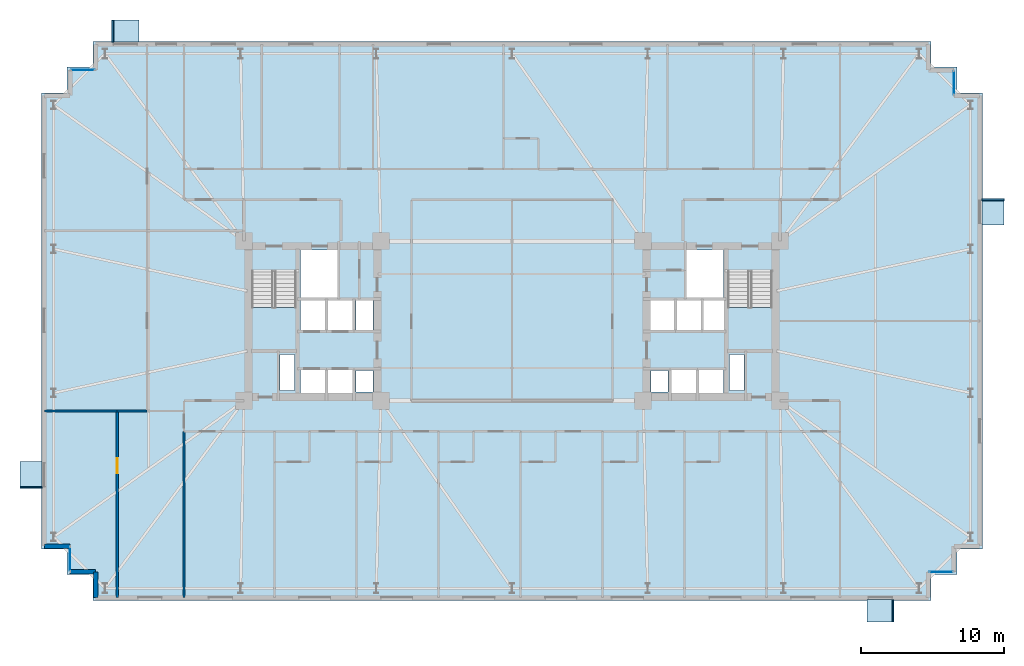
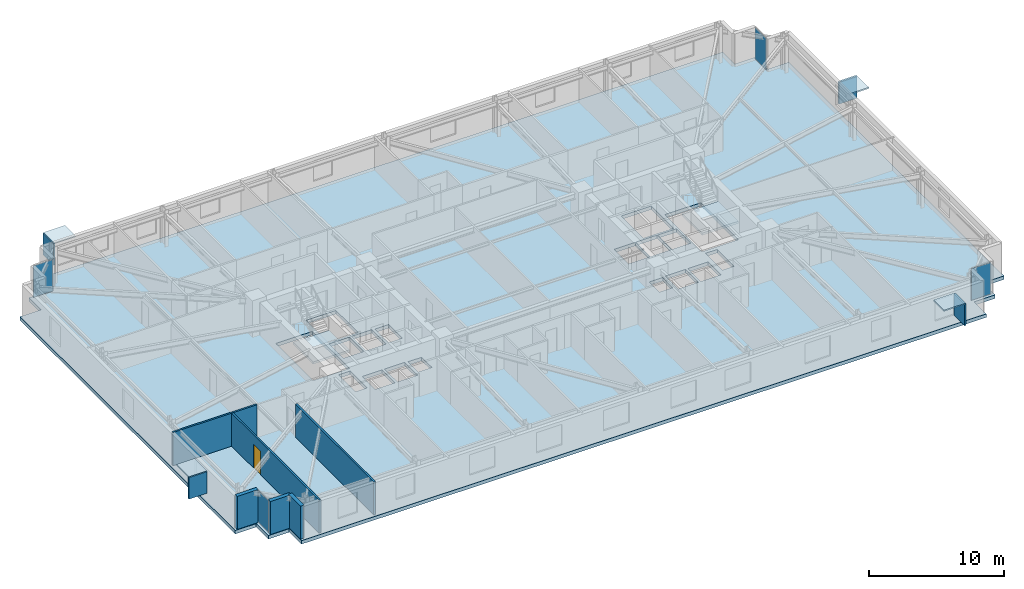
# One storey, part 13 of 20: 12 plates, 7 walls, 3 slabs, 1 door, 1 opening, 6 elements without a shape of their own.
"""IFC4 building model written with IfcOpenShell, lengths in metres."""

from ifc_helpers import new_model, si_unit, direction, frame, frame_2d, origin, origin_2d, place, context, subcontext, project, spatial, polyline, rectangle, outline, extrude, material, layer, layer_set, type_object, element, fill, aggregate, save


model = new_model("IFC4")

# Units and contexts
model_context = context("Model", 3, precision=1e-05, world=origin(), true_north=direction((0.0, 1.0)))
body_context = subcontext(model_context, "Body", "Model", "MODEL_VIEW")
ifc_project = project(units=[si_unit("LENGTHUNIT", "METRE"), si_unit("AREAUNIT", "SQUARE_METRE"), si_unit("VOLUMEUNIT", "CUBIC_METRE"), si_unit("PLANEANGLEUNIT", "RADIAN"), si_unit("MASSUNIT", "GRAM", prefix="KILO")], contexts=[model_context])

# Site, building, storey
site_placement = place(None, origin())
site = spatial("IfcSite", under=ifc_project, at=site_placement, CompositionType="ELEMENT")
building_placement = place(site_placement, origin())
building = spatial("IfcBuilding", under=site, at=building_placement, Name="Qobustan Lattice House", CompositionType="ELEMENT")
storey_placement = place(building_placement, frame((0.0, 0.0, 70.550048828125)))
storey = spatial("IfcBuildingStorey", under=building, at=storey_placement, Name="L19", CompositionType="ELEMENT", Elevation=70.550048828125)

# Curtain wall, plate
ifc_material_1 = material(Name="Anodised aluminium and low-E glazing", Category="aluminium")
ifc_layer_1 = layer(ifc_material_1, 0.219970703125)
ifc_layer_set_1 = layer_set([ifc_layer_1], Name="Anodised aluminium and low-E glazing")
curtain_wall_type = type_object("IfcCurtainWallType", Name="CW-FAC-01", PredefinedType="USERDEFINED", material=ifc_layer_set_1)
curtain_wall_1_placement = place(storey_placement, origin())
curtain_wall_1 = element("IfcCurtainWall", 1, at=curtain_wall_1_placement, inside=storey, type_object=curtain_wall_type, Name="L19 serrated corner faceted glazing 3", ObjectType="CURTAIN WALL", PredefinedType="USERDEFINED")
ifc_material_2 = material(Name="Clear low-E laminated glass", Category="glass")
ifc_layer_2 = layer(ifc_material_2, 0.031982421875)
ifc_layer_set_2 = layer_set([ifc_layer_2], Name="Clear low-E laminated glass")
plate_type_1 = type_object("IfcPlateType", Name="CWP-VISION-32", PredefinedType="CURTAIN_PANEL", material=ifc_layer_set_2)
plate_1_placement = place(storey_placement, frame((-31.0, -16.699951171875, 0.06494140625), z_axis=(0.0, 0.0, 1.0), x_axis=(0.0, 1.0, 0.0)))
plate_1 = element("IfcPlate", 2, at=plate_1_placement, type_object=plate_type_1, Name="CW-F1 panel 1.1", PredefinedType="CURTAIN_PANEL", context=body_context, shape_type="SweptSolid", body=[
    extrude(rectangle(XDim=1.659912109375, YDim=0.031982421875, at=origin_2d()), origin(), (0.0, 0.0, 1.0), 2.8701171875),
])
aggregate(curtain_wall_1, [plate_1])

curtain_wall_2_placement = place(storey_placement, origin())
curtain_wall_2 = element("IfcCurtainWall", 3, at=curtain_wall_2_placement, inside=storey, type_object=curtain_wall_type, Name="L19 serrated corner faceted glazing 8", ObjectType="CURTAIN WALL", PredefinedType="USERDEFINED")
plate_2_placement = place(storey_placement, frame((-30.10009765625, 17.60009765625, 0.06494140625), z_axis=(0.0, 0.0, 1.0), x_axis=(1.0, 0.0, 0.0)))
plate_2 = element("IfcPlate", 4, at=plate_2_placement, type_object=plate_type_1, Name="CW-F1 panel 1.1", PredefinedType="CURTAIN_PANEL", context=body_context, shape_type="SweptSolid", body=[
    extrude(rectangle(XDim=1.659912109375, YDim=0.031982421875, at=origin_2d()), origin(), (0.0, 0.0, 1.0), 2.8701171875),
])
aggregate(curtain_wall_2, [plate_2])

curtain_wall_3_placement = place(storey_placement, origin())
curtain_wall_3 = element("IfcCurtainWall", 5, at=curtain_wall_3_placement, inside=storey, type_object=curtain_wall_type, Name="L19 serrated corner faceted glazing 13", ObjectType="CURTAIN WALL", PredefinedType="USERDEFINED")
plate_3_placement = place(storey_placement, frame((31.0, 16.699951171875, 0.06494140625), z_axis=(0.0, 0.0, 1.0), x_axis=(0.0, -1.0, 0.0)))
plate_3 = element("IfcPlate", 6, at=plate_3_placement, type_object=plate_type_1, Name="CW-F1 panel 1.1", PredefinedType="CURTAIN_PANEL", context=body_context, shape_type="SweptSolid", body=[
    extrude(rectangle(XDim=1.659912109375, YDim=0.031982421875, at=origin_2d()), origin(), (0.0, 0.0, 1.0), 2.8701171875),
])
aggregate(curtain_wall_3, [plate_3])

curtain_wall_4_placement = place(storey_placement, origin())
curtain_wall_4 = element("IfcCurtainWall", 7, at=curtain_wall_4_placement, inside=storey, type_object=curtain_wall_type, Name="L19 serrated corner faceted glazing 18", ObjectType="CURTAIN WALL", PredefinedType="USERDEFINED")
plate_4_placement = place(storey_placement, frame((30.10009765625, -17.60009765625, 0.06494140625), z_axis=(0.0, 0.0, 1.0), x_axis=(-1.0, 0.0, 0.0)))
plate_4 = element("IfcPlate", 8, at=plate_4_placement, type_object=plate_type_1, Name="CW-F1 panel 1.1", PredefinedType="CURTAIN_PANEL", context=body_context, shape_type="SweptSolid", body=[
    extrude(rectangle(XDim=1.659912109375, YDim=0.031982421875, at=origin_2d()), origin(), (0.0, 0.0, 1.0), 2.8701171875),
])
aggregate(curtain_wall_4, [plate_4])

# Plates
ifc_material_3 = material(Name="Qobustan limestone GFRC", Category="masonry")
ifc_layer_3 = layer(ifc_material_3, 0.1201171875)
ifc_layer_set_3 = layer_set([ifc_layer_3], Name="Qobustan limestone GFRC")
plate_type_2 = type_object("IfcPlateType", Name="SHD-HOOD-BROW", PredefinedType="USERDEFINED", material=ifc_layer_set_3)
plate_5_placement = place(storey_placement, frame((-33.72998046875, -10.800048828125, 2.699951171875), z_axis=(0.0, 0.0, 1.0), x_axis=(0.0, 1.0, 0.0)))
element("IfcPlate", 9, at=plate_5_placement, inside=storey, type_object=plate_type_2, Name="L19 splayed Qobustan stone hood brow", ObjectType="SUNSHADE", PredefinedType="USERDEFINED", context=body_context, shape_type="SweptSolid", body=[
    extrude(rectangle(XDim=1.889892578125, YDim=1.56005859375, at=origin_2d()), origin(), (0.0, 0.0, 1.0), 0.1201171875),
])
plate_6_placement = place(storey_placement, frame((-33.72998046875, -11.68505859375, 0.7900390625), z_axis=(0.0, 0.0, 1.0), x_axis=(0.0, 1.0, 0.0)))
element("IfcPlate", 10, at=plate_6_placement, inside=storey, type_object=plate_type_2, Name="L19 splayed Qobustan stone hood cheek", ObjectType="SUNSHADE", PredefinedType="USERDEFINED", context=body_context, shape_type="SweptSolid", body=[
    extrude(rectangle(XDim=0.1201171875, YDim=1.56005859375, at=origin_2d()), origin(), (0.0, 0.0, 1.0), 1.969970703125),
])
plate_7_placement = place(storey_placement, frame((-27.1201171875, 20.330078125, 2.699951171875), z_axis=(0.0, 0.0, 1.0), x_axis=(1.0, 0.0, 0.0)))
element("IfcPlate", 11, at=plate_7_placement, inside=storey, type_object=plate_type_2, Name="L19 splayed Qobustan stone hood brow", ObjectType="SUNSHADE", PredefinedType="USERDEFINED", context=body_context, shape_type="SweptSolid", body=[
    extrude(rectangle(XDim=1.889892578125, YDim=1.56005859375, at=origin_2d()), origin(), (0.0, 0.0, 1.0), 0.1201171875),
])
plate_8_placement = place(storey_placement, frame((-28.0048828125, 20.330078125, 0.7900390625), z_axis=(0.0, 0.0, 1.0), x_axis=(1.0, 0.0, 0.0)))
element("IfcPlate", 12, at=plate_8_placement, inside=storey, type_object=plate_type_2, Name="L19 splayed Qobustan stone hood cheek", ObjectType="SUNSHADE", PredefinedType="USERDEFINED", context=body_context, shape_type="SweptSolid", body=[
    extrude(rectangle(XDim=0.1201171875, YDim=1.56005859375, at=origin_2d()), origin(), (0.0, 0.0, 1.0), 1.969970703125),
])
plate_9_placement = place(storey_placement, frame((33.72998046875, 7.639892578125, 2.699951171875), z_axis=(0.0, 0.0, 1.0), x_axis=(0.0, -1.0, 0.0)))
element("IfcPlate", 13, at=plate_9_placement, inside=storey, type_object=plate_type_2, Name="L19 splayed Qobustan stone hood brow", ObjectType="SUNSHADE", PredefinedType="USERDEFINED", context=body_context, shape_type="SweptSolid", body=[
    extrude(rectangle(XDim=1.840087890625, YDim=1.56005859375, at=origin_2d()), origin(), (0.0, 0.0, 1.0), 0.1201171875),
])
plate_10_placement = place(storey_placement, frame((33.72998046875, 8.5, 0.7900390625), z_axis=(0.0, 0.0, 1.0), x_axis=(0.0, -1.0, 0.0)))
element("IfcPlate", 14, at=plate_10_placement, inside=storey, type_object=plate_type_2, Name="L19 splayed Qobustan stone hood cheek", ObjectType="SUNSHADE", PredefinedType="USERDEFINED", context=body_context, shape_type="SweptSolid", body=[
    extrude(rectangle(XDim=0.1201171875, YDim=1.56005859375, at=origin_2d()), origin(), (0.0, 0.0, 1.0), 1.969970703125),
])
plate_11_placement = place(storey_placement, frame((25.840087890625, -20.330078125, 2.699951171875), z_axis=(0.0, 0.0, 1.0), x_axis=(-1.0, 0.0, 0.0)))
element("IfcPlate", 15, at=plate_11_placement, inside=storey, type_object=plate_type_2, Name="L19 splayed Qobustan stone hood brow", ObjectType="SUNSHADE", PredefinedType="USERDEFINED", context=body_context, shape_type="SweptSolid", body=[
    extrude(rectangle(XDim=1.889892578125, YDim=1.56005859375, at=origin_2d()), origin(), (0.0, 0.0, 1.0), 0.1201171875),
])
plate_12_placement = place(storey_placement, frame((26.72509765625, -20.330078125, 0.7900390625), z_axis=(0.0, 0.0, 1.0), x_axis=(-1.0, 0.0, 0.0)))
element("IfcPlate", 16, at=plate_12_placement, inside=storey, type_object=plate_type_2, Name="L19 splayed Qobustan stone hood cheek", ObjectType="SUNSHADE", PredefinedType="USERDEFINED", context=body_context, shape_type="SweptSolid", body=[
    extrude(rectangle(XDim=0.1201171875, YDim=1.56005859375, at=origin_2d()), origin(), (0.0, 0.0, 1.0), 1.969970703125),
])

# Slab
ifc_material_4 = material(Name="Concrete C40/50", Category="concrete")
ifc_layer_4 = layer(ifc_material_4, 0.31494140625)
ifc_layer_set_4 = layer_set([ifc_layer_4], Name="Concrete C40/50")
slab_type_1 = type_object("IfcSlabType", Name="SLB-FLR-315", PredefinedType="FLOOR", material=ifc_layer_set_4)
slab_1_placement = place(storey_placement, frame((0.0, 0.0, -0.31494140625)))
element("IfcSlab", 17, at=slab_1_placement, inside=storey, type_object=slab_type_1, Name="L19 structural floor slab", PredefinedType="FLOOR", context=body_context, shape_type="SweptSolid", body=[
    extrude(outline(polyline([(-29.39990234375, -19.60009765625), (29.39990234375, -19.60009765625), (29.39990234375, -17.800048828125), (31.199951171875, -17.800048828125), (31.199951171875, -16.0), (33.0, -16.0), (33.0, 16.0), (31.199951171875, 16.0), (31.199951171875, 17.800048828125), (29.39990234375, 17.800048828125), (29.39990234375, 19.60009765625), (-29.39990234375, 19.60009765625), (-29.39990234375, 17.800048828125), (-31.199951171875, 17.800048828125), (-31.199951171875, 16.0), (-33.0, 16.0), (-33.0, -16.0), (-31.199951171875, -16.0), (-31.199951171875, -17.800048828125), (-29.39990234375, -17.800048828125), (-29.39990234375, -19.60009765625)]), holes=[polyline([(-18.25, -2.050048828125), (-18.25, 3.489990234375), (-15.1298828125, 3.489990234375), (-15.1298828125, -2.050048828125), (-18.25, -2.050048828125)]), polyline([(15.1298828125, -2.050048828125), (15.1298828125, 3.489990234375), (18.25, 3.489990234375), (18.25, -2.050048828125), (15.1298828125, -2.050048828125)]), polyline([(-14.820068359375, 1.64990234375), (-14.820068359375, 4.9599609375), (-12.25, 4.9599609375), (-12.25, 1.64990234375), (-14.820068359375, 1.64990234375)]), polyline([(12.25, 1.64990234375), (12.25, 4.9599609375), (14.820068359375, 4.9599609375), (14.820068359375, 1.64990234375), (12.25, 1.64990234375)]), polyline([(-16.260009765625, -4.8798828125), (-16.260009765625, -2.360107421875), (-15.260009765625, -2.360107421875), (-15.260009765625, -4.8798828125), (-16.260009765625, -4.8798828125)]), polyline([(15.260009765625, -4.8798828125), (15.260009765625, -2.360107421875), (16.260009765625, -2.360107421875), (16.260009765625, -4.8798828125), (15.260009765625, -4.8798828125)]), polyline([(-14.85009765625, -5.35009765625), (-14.85009765625, -3.419921875), (-13.1201171875, -3.419921875), (-13.1201171875, -5.35009765625), (-14.85009765625, -5.35009765625)]), polyline([(-12.919921875, -5.35009765625), (-12.919921875, -3.419921875), (-11.179931640625, -3.419921875), (-11.179931640625, -5.35009765625), (-12.919921875, -5.35009765625)]), polyline([(-14.85009765625, -0.679931640625), (-14.85009765625, 1.47998046875), (-13.1201171875, 1.47998046875), (-13.1201171875, -0.679931640625), (-14.85009765625, -0.679931640625)]), polyline([(-12.919921875, -0.679931640625), (-12.919921875, 1.47998046875), (-11.179931640625, 1.47998046875), (-11.179931640625, -0.679931640625), (-12.919921875, -0.679931640625)]), polyline([(-10.93994140625, -5.0), (-10.93994140625, -3.47998046875), (-9.760009765625, -3.47998046875), (-9.760009765625, -5.0), (-10.93994140625, -5.0)]), polyline([(-10.93994140625, -0.6201171875), (-10.93994140625, 1.419921875), (-9.760009765625, 1.419921875), (-9.760009765625, -0.6201171875), (-10.93994140625, -0.6201171875)]), polyline([(11.179931640625, -5.35009765625), (11.179931640625, -3.419921875), (12.919921875, -3.419921875), (12.919921875, -5.35009765625), (11.179931640625, -5.35009765625)]), polyline([(13.1201171875, -5.35009765625), (13.1201171875, -3.419921875), (14.85009765625, -3.419921875), (14.85009765625, -5.35009765625), (13.1201171875, -5.35009765625)]), polyline([(9.760009765625, -5.0), (9.760009765625, -3.47998046875), (10.93994140625, -3.47998046875), (10.93994140625, -5.0), (9.760009765625, -5.0)]), polyline([(13.360107421875, -0.679931640625), (13.360107421875, 1.47998046875), (14.97998046875, 1.47998046875), (14.97998046875, -0.679931640625), (13.360107421875, -0.679931640625)]), polyline([(9.6201171875, -0.679931640625), (9.6201171875, 1.47998046875), (11.43994140625, 1.47998046875), (11.43994140625, -0.679931640625), (9.6201171875, -0.679931640625)]), polyline([(11.5, -0.679931640625), (11.5, 1.47998046875), (13.320068359375, 1.47998046875), (13.320068359375, -0.679931640625), (11.5, -0.679931640625)])]), origin(), (0.0, 0.0, 1.0), 0.31494140625),
])

# Stair, slab
ifc_material_5 = material(Name="Concrete C40/50", Category="concrete")
stair_type = type_object("IfcStairType", Name="STR-CORE-DOGLEG", PredefinedType="HALF_TURN_STAIR", material=ifc_material_5)
stair_1_placement = place(storey_placement, origin())
stair_1 = element("IfcStair", 18, at=stair_1_placement, inside=storey, type_object=stair_type, Name="L19 West protected exit stair ST-W1", PredefinedType="HALF_TURN_STAIR")
ifc_material_6 = material(Name="Concrete C40/50", Category="concrete")
ifc_layer_5 = layer(ifc_material_6, 0.199951171875)
ifc_layer_set_5 = layer_set([ifc_layer_5], Name="Concrete C40/50")
slab_type_2 = type_object("IfcSlabType", Name="SLB-LANDING-200", PredefinedType="LANDING", material=ifc_layer_set_5)
slab_2_placement = place(storey_placement, frame((0.0, 0.0, 1.474853515625)))
slab_2 = element("IfcSlab", 19, at=slab_2_placement, type_object=slab_type_2, Name="ST-W1 landing 1", PredefinedType="LANDING", context=body_context, shape_type="SweptSolid", body=[
    extrude(outline(polyline([(-18.25, 0.93505859375), (-18.25, -2.050048828125), (-15.1298828125, -2.050048828125), (-15.1298828125, 0.93505859375), (-18.25, 0.93505859375)])), origin(), (0.0, 0.0, 1.0), 0.2001953125),
])
aggregate(stair_1, [slab_2])

stair_2_placement = place(storey_placement, origin())
stair_2 = element("IfcStair", 20, at=stair_2_placement, inside=storey, type_object=stair_type, Name="L19 East protected exit stair ST-E1", PredefinedType="HALF_TURN_STAIR")
slab_3_placement = place(storey_placement, frame((0.0, 0.0, 1.474853515625)))
slab_3 = element("IfcSlab", 21, at=slab_3_placement, type_object=slab_type_2, Name="ST-E1 landing 1", PredefinedType="LANDING", context=body_context, shape_type="SweptSolid", body=[
    extrude(outline(polyline([(15.1298828125, 0.93505859375), (15.1298828125, -2.050048828125), (18.25, -2.050048828125), (18.25, 0.93505859375), (15.1298828125, 0.93505859375)])), origin(), (0.0, 0.0, 1.0), 0.2001953125),
])
aggregate(stair_2, [slab_3])

# Walls
ifc_material_7 = material(Name="Precast concrete C40/50", Category="concrete")
ifc_layer_6 = layer(ifc_material_7, 0.320068359375)
ifc_layer_set_6 = layer_set([ifc_layer_6], Name="Precast concrete C40/50")
wall_type_1 = type_object("IfcWallType", Name="WAL-EXT-STONE-320", PredefinedType="SOLIDWALL", material=ifc_layer_set_6)
wall_1_placement = place(storey_placement, frame((-29.199951171875, -19.39990234375, 0.0), z_axis=(0.0, 0.0, 1.0), x_axis=(0.0, 1.0, 0.0)))
element("IfcWall", 22, at=wall_1_placement, inside=storey, type_object=wall_type_1, Name="L19 exterior limestone-clad wall 1", PredefinedType="SOLIDWALL", context=body_context, shape_type="SweptSolid", body=[
    extrude(rectangle(XDim=1.7998046875, YDim=0.320068359375, at=frame_2d((0.89990234375, 0.0))), origin(), (0.0, 0.0, 1.0), 3.0),
])
for number, where, z_axis, x_axis, name in (
    (23, (-29.199951171875, -17.60009765625, 0.0), (0.0, 0.0, 1.0), (-1.0, 0.0, 0.0), "L19 exterior limestone-clad wall 2"),
    (24, (-31.0, -15.800048828125, 0.0), (0.0, 0.0, 1.0), (-1.0, 0.0, 0.0), "L19 exterior limestone-clad wall 4"),
):
    element("IfcWall", number, at=place(storey_placement, frame(where, z_axis=z_axis, x_axis=x_axis)), inside=storey, type_object=wall_type_1, Name=name, PredefinedType="SOLIDWALL", context=body_context, shape_type="SweptSolid", body=[
        extrude(rectangle(XDim=1.800048828125, YDim=0.320068359375, at=frame_2d((0.89990234375, 0.0))), origin(), (0.0, 0.0, 1.0), 3.0),
    ])

# Wall, opening, door
ifc_material_8 = material(Name="Acoustic twin-stud gypsum partition", Category="gypsum")
ifc_layer_7 = layer(ifc_material_8, 0.14990234375)
ifc_layer_set_7 = layer_set([ifc_layer_7], Name="Acoustic twin-stud gypsum partition")
wall_type_2 = type_object("IfcWallType", Name="WAL-PART-150", PredefinedType="PARTITIONING", material=ifc_layer_set_7)
wall_2_placement = place(storey_placement, frame((-27.68994140625, -6.326904296875, 0.0), z_axis=(0.0, 0.0, 1.0), x_axis=(0.0, -1.0, 0.0)))
wall_2 = element("IfcWall", 25, at=wall_2_placement, inside=storey, type_object=wall_type_2, Name="L19 interior partition 78", PredefinedType="PARTITIONING", context=body_context, shape_type="SweptSolid", body=[
    extrude(rectangle(XDim=13.072998046875, YDim=0.14990234375, at=frame_2d((6.53662109375, 0.0))), origin(), (0.0, 0.0, 1.0), 3.0),
])
opening_placement = place(wall_2_placement, frame((3.295654296875, 0.0, 0.0)))
opening = element("IfcOpeningElement", 26, at=opening_placement, cuts=wall_2, Name="Opening ID-02", PredefinedType="OPENING", context=body_context, shape_type="SweptSolid", body=[
    extrude(rectangle(XDim=1.050048828125, YDim=2.14990234375, at=frame_2d((0.52490234375, 1.074951171875))), frame((0.0, 0.0849609375, 0.0), z_axis=(0.0, -1.0, 0.0), x_axis=(1.0, 0.0, 0.0)), (0.0, 0.0, 1.0), 0.169921875),
])
ifc_material_9 = material(Name="Persian walnut timber and steel frame door", Category="steel")
door_type = type_object("IfcDoorType", Name="DOR-STUDY-1050x2150", OperationType="NOTDEFINED", PredefinedType="DOOR", material=ifc_material_9)
door_placement = place(opening_placement, origin())
door = element("IfcDoor", 27, at=door_placement, inside=storey, type_object=door_type, Name="L19 Focus study room W1A to Focus study room W1B door", OperationType="SINGLE_SWING_LEFT", OverallHeight=2.14990234375, OverallWidth=1.050048828125, PredefinedType="DOOR", context=body_context, shape_type="SweptSolid", body=[
    extrude(rectangle(XDim=1.050048828125, YDim=2.14990234375, at=frame_2d((0.52490234375, 1.074951171875))), frame((0.0, 0.02490234375, 0.0), z_axis=(0.0, -1.0, 0.0), x_axis=(1.0, 0.0, 0.0)), (0.0, 0.0, 1.0), 0.050048828125),
])
fill(opening, door)

# Walls
wall_3_placement = place(storey_placement, frame((-32.800048828125, -6.326904296875, 0.0), z_axis=(0.0, 0.0, 1.0), x_axis=(1.0, 0.0, 0.0)))
element("IfcWall", 28, at=wall_3_placement, inside=storey, type_object=wall_type_2, Name="L19 interior partition 79", PredefinedType="PARTITIONING", context=body_context, shape_type="SweptSolid", body=[
    extrude(rectangle(XDim=5.110107421875, YDim=0.14990234375, at=frame_2d((2.55517578125, 0.0))), origin(), (0.0, 0.0, 1.0), 3.0),
])
wall_4_placement = place(storey_placement, frame((-27.68994140625, -6.326904296875, 0.0), z_axis=(0.0, 0.0, 1.0), x_axis=(1.0, 0.0, 0.0)))
element("IfcWall", 29, at=wall_4_placement, inside=storey, type_object=wall_type_2, Name="L19 interior partition 80", PredefinedType="PARTITIONING", context=body_context, shape_type="SweptSolid", body=[
    extrude(rectangle(XDim=2.099853515625, YDim=0.14990234375, at=frame_2d((1.0498046875, 0.0))), origin(), (0.0, 0.0, 1.0), 3.0),
])
wall_5_placement = place(storey_placement, frame((-23.0, -7.75, 0.0), z_axis=(0.0, 0.0, 1.0), x_axis=(0.0, -1.0, 0.0)))
element("IfcWall", 30, at=wall_5_placement, inside=storey, type_object=wall_type_2, Name="L19 interior partition 82", PredefinedType="PARTITIONING", context=body_context, shape_type="SweptSolid", body=[
    extrude(rectangle(XDim=11.64990234375, YDim=0.14990234375, at=frame_2d((5.824951171875, 0.0))), origin(), (0.0, 0.0, 1.0), 3.0),
])

save(model, "model.ifc")
